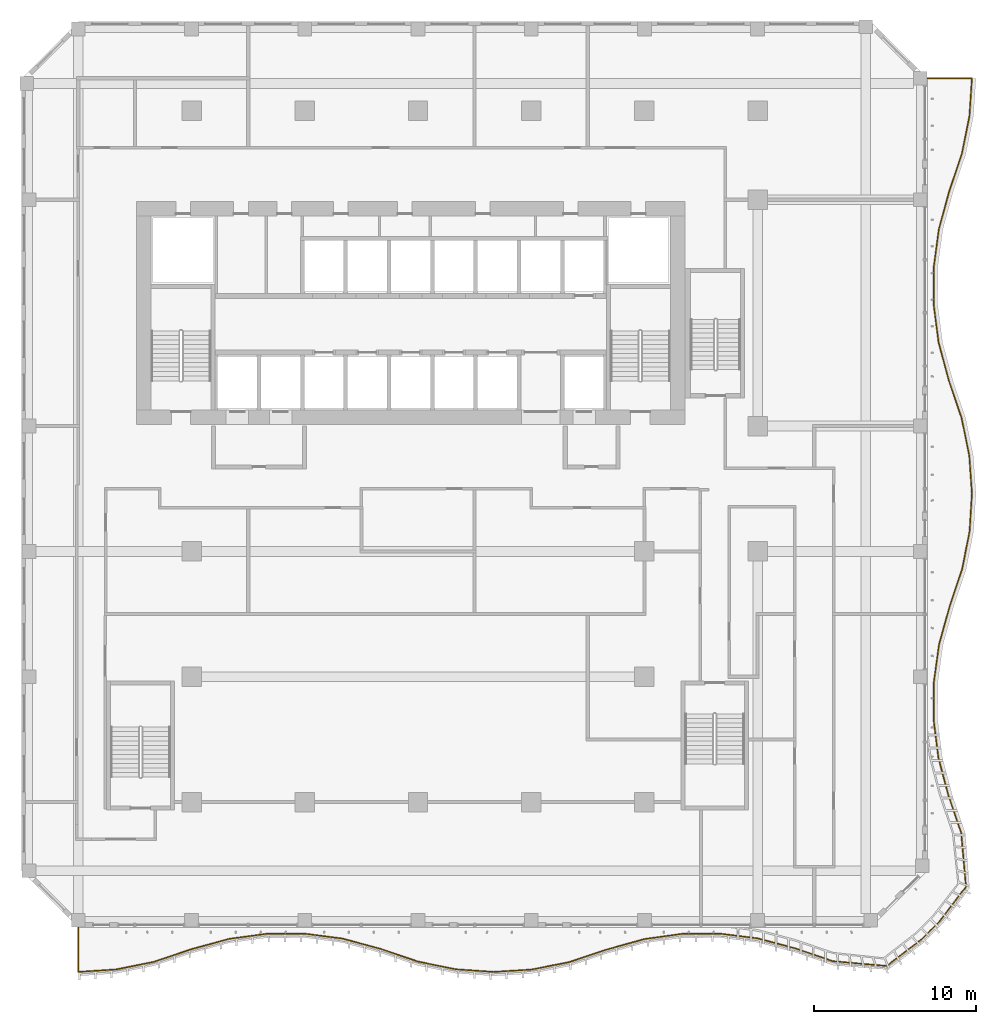
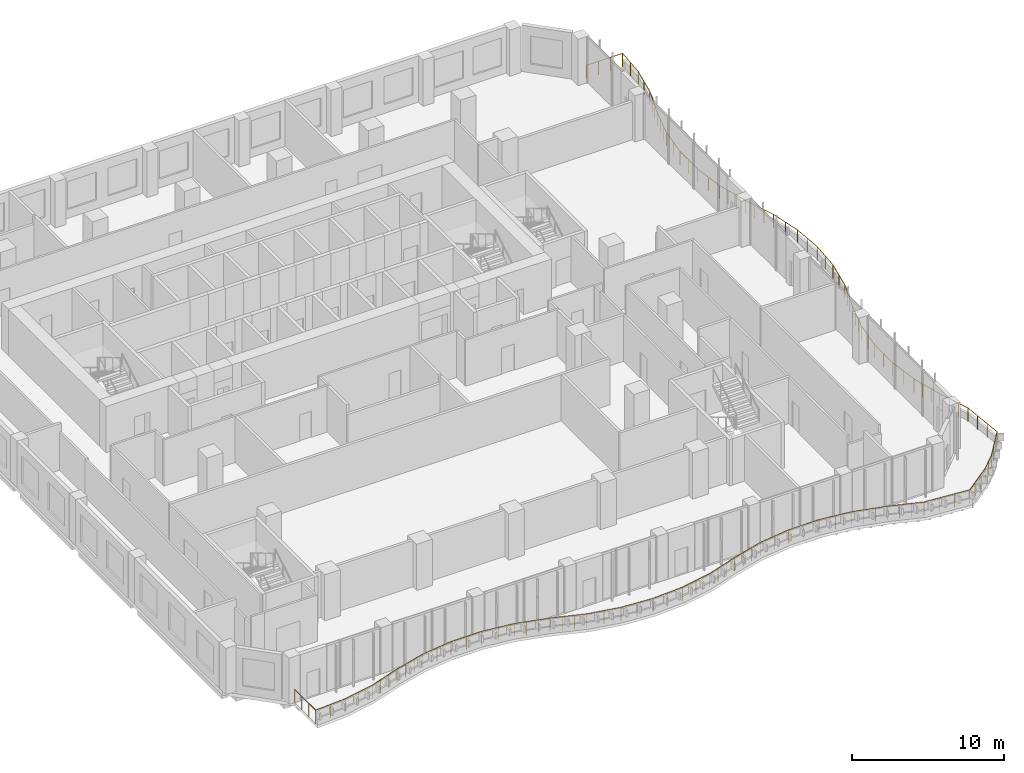
# One storey, part 22 of 27: 1 railing.
"""IFC4 building model written with IfcOpenShell, lengths in metres."""

from ifc_helpers import new_model, si_unit, direction, frame, origin, origin_2d, place, context, subcontext, project, spatial, circle, extrude, material, type_object, element, save


model = new_model("IFC4")

# Units and contexts
model_context = context("Model", 3, precision=1e-05, world=origin(), true_north=direction((0.0, 1.0)))
body_context = subcontext(model_context, "Body", "Model", "MODEL_VIEW")
ifc_project = project(units=[si_unit("LENGTHUNIT", "METRE"), si_unit("AREAUNIT", "SQUARE_METRE"), si_unit("VOLUMEUNIT", "CUBIC_METRE"), si_unit("PLANEANGLEUNIT", "RADIAN"), si_unit("MASSUNIT", "GRAM", prefix="KILO")], contexts=[model_context])

# Site, building, storey
site_placement = place(None, origin())
site = spatial("IfcSite", under=ifc_project, at=site_placement, CompositionType="ELEMENT")
building_placement = place(site_placement, origin())
building = spatial("IfcBuilding", under=site, at=building_placement, Name="Kilnfold Tower and Market Hall", CompositionType="ELEMENT")
storey_placement = place(building_placement, frame((0.0, 0.0, 112.60009765625)))
storey = spatial("IfcBuildingStorey", under=building, at=storey_placement, Name="L26", CompositionType="ELEMENT", Elevation=112.60009765625)

# Railing
ifc_material = material(Name="Stainless steel and laminated glass", Category="steel")
railing_type = type_object("IfcRailingType", Name="GUARD 1100", PredefinedType="GUARDRAIL", material=ifc_material)
railing_placement = place(storey_placement, frame((-19.5, -23.0, 0.0)))
element("IfcRailing", 1, at=railing_placement, inside=storey, type_object=railing_type, Name="Guard balcony L26", PredefinedType="GUARDRAIL", context=body_context, shape_type="SweptSolid", body=[
    extrude(circle(Radius=0.02490234375, at=origin_2d()), frame((0.0, 0.0, 1.0751953125), z_axis=(0.0, -1.0, 0.0), x_axis=(1.0, 0.0, 0.0)), (0.0, 0.0, 1.0), 2.75),
    extrude(circle(Radius=0.02490234375, at=origin_2d()), frame((0.0, -2.75, 1.0751953125), z_axis=(0.997847999073, 0.065569587048, 0.0), x_axis=(-0.065569587048, 0.997847999073, 0.0)), (0.0, 0.0, 1.0), 2.33837890625),
    extrude(circle(Radius=0.02490234375, at=origin_2d()), frame((2.333251953125, -2.5966796875, 1.0751953125), z_axis=(0.980513543113, 0.196451499797, 0.0), x_axis=(-0.196451499797, 0.980513543113, 0.0)), (0.0, 0.0, 1.0), 2.3798828125),
    extrude(circle(Radius=0.02490234375, at=origin_2d()), frame((4.666748046875, -2.129150390625, 1.0751953125), z_axis=(0.947566979947, 0.319557222598, 0.0), x_axis=(-0.319557222598, 0.947566979947, 0.0)), (0.0, 0.0, 1.0), 2.46240234375),
    extrude(circle(Radius=0.02490234375, at=origin_2d()), frame((7.0, -1.34228515625, 1.0751953125), z_axis=(0.964518860934, 0.264013952098, 0.0), x_axis=(-0.264013952098, 0.964518860934, 0.0)), (0.0, 0.0, 1.0), 2.419189453125),
    extrude(circle(Radius=0.02490234375, at=origin_2d()), frame((9.333251953125, -0.70361328125, 1.0751953125), z_axis=(0.991110687467, 0.133039863153, 0.0), x_axis=(-0.133039863153, 0.991110687467, 0.0)), (0.0, 0.0, 1.0), 2.3544921875),
    extrude(circle(Radius=0.02490234375, at=origin_2d()), frame((11.666748046875, -0.390380859375, 1.0751953125), z_axis=(0.999998226339, 0.001883432884, 0.0), x_axis=(-0.001883432884, 0.999998226339, 0.0)), (0.0, 0.0, 1.0), 2.333251953125),
    extrude(circle(Radius=0.02490234375, at=origin_2d()), frame((14.0, -0.385986328125, 1.0751953125), z_axis=(0.991647789279, -0.128975431838, 0.0), x_axis=(0.128975431838, 0.991647789279, 0.0)), (0.0, 0.0, 1.0), 2.352783203125),
    extrude(circle(Radius=0.02490234375, at=origin_2d()), frame((16.333251953125, -0.689453125, 1.0751953125), z_axis=(0.965598198848, -0.260038686319, 0.0), x_axis=(0.260038686319, 0.965598198848, 0.0)), (0.0, 0.0, 1.0), 2.416748046875),
    extrude(circle(Radius=0.02490234375, at=origin_2d()), frame((18.666748046875, -1.31787109375, 1.0751953125), z_axis=(0.94693508606, -0.321424863365, 0.0), x_axis=(0.321424863365, 0.94693508606, 0.0)), (0.0, 0.0, 1.0), 2.464111328125),
    extrude(circle(Radius=0.02490234375, at=origin_2d()), frame((21.0, -2.10986328125, 1.0751953125), z_axis=(0.979691597801, -0.200510282024, 0.0), x_axis=(0.200510282024, 0.979691597801, 0.0)), (0.0, 0.0, 1.0), 2.381591796875),
    extrude(circle(Radius=0.02490234375, at=origin_2d()), frame((23.333251953125, -2.58740234375, 1.0751953125), z_axis=(0.99758116384, -0.069511305202, 0.0), x_axis=(0.069511305202, 0.99758116384, 0.0)), (0.0, 0.0, 1.0), 2.339111328125),
    extrude(circle(Radius=0.02490234375, at=origin_2d()), frame((25.666748046875, -2.75, 1.0751953125), z_axis=(0.998099833602, 0.061617547538, 0.0), x_axis=(-0.061617547538, 0.998099833602, 0.0)), (0.0, 0.0, 1.0), 2.337646484375),
    extrude(circle(Radius=0.02490234375, at=origin_2d()), frame((28.0, -2.60595703125, 1.0751953125), z_axis=(0.981292835756, 0.192521091037, 0.0), x_axis=(-0.192521091037, 0.981292835756, 0.0)), (0.0, 0.0, 1.0), 2.377685546875),
    extrude(circle(Radius=0.02490234375, at=origin_2d()), frame((30.333251953125, -2.148193359375, 1.0751953125), z_axis=(0.9482956499, 0.317388343171, 0.0), x_axis=(-0.317388343171, 0.9482956499, 0.0)), (0.0, 0.0, 1.0), 2.460693359375),
    extrude(circle(Radius=0.02490234375, at=origin_2d()), frame((32.666748046875, -1.3671875, 1.0751953125), z_axis=(0.963406621709, 0.268044177789, 0.0), x_axis=(-0.268044177789, 0.963406621709, 0.0)), (0.0, 0.0, 1.0), 2.421875),
    extrude(circle(Radius=0.02490234375, at=origin_2d()), frame((35.0, -0.718017578125, 1.0751953125), z_axis=(0.990581902319, 0.136921491364, 0.0), x_axis=(-0.136921491364, 0.990581902319, 0.0)), (0.0, 0.0, 1.0), 2.35546875),
    extrude(circle(Radius=0.02490234375, at=origin_2d()), frame((37.333251953125, -0.3955078125, 1.0751953125), z_axis=(0.999982218267, 0.005963484666, 0.0), x_axis=(-0.005963484666, 0.999982218267, 0.0)), (0.0, 0.0, 1.0), 2.33349609375),
    extrude(circle(Radius=0.02490234375, at=origin_2d()), frame((39.666748046875, -0.381591796875, 1.0751953125), z_axis=(0.992157627723, -0.124992966807, 0.0), x_axis=(0.124992966807, 0.992157627723, 0.0)), (0.0, 0.0, 1.0), 2.351806640625),
    extrude(circle(Radius=0.02490234375, at=origin_2d()), frame((42.0, -0.675537109375, 1.0751953125), z_axis=(0.966650012662, -0.256101060172, 0.0), x_axis=(0.256101060172, 0.966650012662, 0.0)), (0.0, 0.0, 1.0), 2.413818359375),
    extrude(circle(Radius=0.02490234375, at=origin_2d()), frame((44.333251953125, -1.293701171875, 1.0751953125), z_axis=(0.946401541537, -0.3229924491, 0.0), x_axis=(0.3229924491, 0.946401541537, 0.0)), (0.0, 0.0, 1.0), 2.465576171875),
    extrude(circle(Radius=0.02490234375, at=origin_2d()), frame((46.666748046875, -2.090087890625, 1.0751953125), z_axis=(0.996172933534, -0.087404156042, 0.0), x_axis=(0.087404156042, 0.996172933534, 0.0)), (0.0, 0.0, 1.0), 3.332275390625),
    extrude(circle(Radius=0.02490234375, at=origin_2d()), frame((49.986328125, -2.38134765625, 1.0751953125), z_axis=(0.793922461341, 0.608019017283, 0.0), x_axis=(-0.608019017283, 0.793922461341, 0.0)), (0.0, 0.0, 1.0), 2.659423828125),
    extrude(circle(Radius=0.02490234375, at=origin_2d()), frame((52.09765625, -0.764404296875, 1.0751953125), z_axis=(0.707106781187, 0.707106781187, 0.0), x_axis=(-0.707106781187, 0.707106781187, 0.0)), (0.0, 0.0, 1.0), 1.650146484375),
    extrude(circle(Radius=0.02490234375, at=origin_2d()), frame((53.264404296875, 0.40234375, 1.0751953125), z_axis=(0.608019017283, 0.793922461341, 0.0), x_axis=(-0.793922461341, 0.608019017283, 0.0)), (0.0, 0.0, 1.0), 2.659423828125),
    extrude(circle(Radius=0.02490234375, at=origin_2d()), frame((54.88134765625, 2.513671875, 1.0751953125), z_axis=(-0.087404156042, 0.996172933534, 0.0), x_axis=(-0.996172933534, -0.087404156042, 0.0)), (0.0, 0.0, 1.0), 3.332275390625),
    extrude(circle(Radius=0.02490234375, at=origin_2d()), frame((54.590087890625, 5.833251953125, 1.0751953125), z_axis=(-0.3229924491, 0.946401541537, 0.0), x_axis=(-0.946401541537, -0.3229924491, 0.0)), (0.0, 0.0, 1.0), 2.465576171875),
    extrude(circle(Radius=0.02490234375, at=origin_2d()), frame((53.793701171875, 8.166748046875, 1.0751953125), z_axis=(-0.256101060172, 0.966650012662, 0.0), x_axis=(-0.966650012662, -0.256101060172, 0.0)), (0.0, 0.0, 1.0), 2.413818359375),
    extrude(circle(Radius=0.02490234375, at=origin_2d()), frame((53.175537109375, 10.5, 1.0751953125), z_axis=(-0.124992966807, 0.992157627723, 0.0), x_axis=(-0.992157627723, -0.124992966807, 0.0)), (0.0, 0.0, 1.0), 2.351806640625),
    extrude(circle(Radius=0.02490234375, at=origin_2d()), frame((52.881591796875, 12.833251953125, 1.0751953125), z_axis=(0.005963484666, 0.999982218267, 0.0), x_axis=(-0.999982218267, 0.005963484666, 0.0)), (0.0, 0.0, 1.0), 2.33349609375),
    extrude(circle(Radius=0.02490234375, at=origin_2d()), frame((52.8955078125, 15.166748046875, 1.0751953125), z_axis=(0.136921491364, 0.990581902319, 0.0), x_axis=(-0.990581902319, 0.136921491364, 0.0)), (0.0, 0.0, 1.0), 2.35546875),
    extrude(circle(Radius=0.02490234375, at=origin_2d()), frame((53.218017578125, 17.5, 1.0751953125), z_axis=(0.268044177789, 0.963406621709, 0.0), x_axis=(-0.963406621709, 0.268044177789, 0.0)), (0.0, 0.0, 1.0), 2.421875),
    extrude(circle(Radius=0.02490234375, at=origin_2d()), frame((53.8671875, 19.833251953125, 1.0751953125), z_axis=(0.317388343171, 0.9482956499, 0.0), x_axis=(-0.9482956499, 0.317388343171, 0.0)), (0.0, 0.0, 1.0), 2.460693359375),
    extrude(circle(Radius=0.02490234375, at=origin_2d()), frame((54.648193359375, 22.166748046875, 1.0751953125), z_axis=(0.192521091037, 0.981292835756, 0.0), x_axis=(-0.981292835756, 0.192521091037, 0.0)), (0.0, 0.0, 1.0), 2.377685546875),
    extrude(circle(Radius=0.02490234375, at=origin_2d()), frame((55.10595703125, 24.5, 1.0751953125), z_axis=(0.061617547538, 0.998099833602, 0.0), x_axis=(-0.998099833602, 0.061617547538, 0.0)), (0.0, 0.0, 1.0), 2.337646484375),
    extrude(circle(Radius=0.02490234375, at=origin_2d()), frame((55.25, 26.833251953125, 1.0751953125), z_axis=(-0.069511305202, 0.99758116384, 0.0), x_axis=(-0.99758116384, -0.069511305202, 0.0)), (0.0, 0.0, 1.0), 2.339111328125),
    extrude(circle(Radius=0.02490234375, at=origin_2d()), frame((55.08740234375, 29.166748046875, 1.0751953125), z_axis=(-0.200510282024, 0.979691597801, 0.0), x_axis=(-0.979691597801, -0.200510282024, 0.0)), (0.0, 0.0, 1.0), 2.381591796875),
    extrude(circle(Radius=0.02490234375, at=origin_2d()), frame((54.60986328125, 31.5, 1.0751953125), z_axis=(-0.321424863365, 0.94693508606, 0.0), x_axis=(-0.94693508606, -0.321424863365, 0.0)), (0.0, 0.0, 1.0), 2.464111328125),
    extrude(circle(Radius=0.02490234375, at=origin_2d()), frame((53.81787109375, 33.833251953125, 1.0751953125), z_axis=(-0.260038686319, 0.965598198848, 0.0), x_axis=(-0.965598198848, -0.260038686319, 0.0)), (0.0, 0.0, 1.0), 2.416748046875),
    extrude(circle(Radius=0.02490234375, at=origin_2d()), frame((53.189453125, 36.166748046875, 1.0751953125), z_axis=(-0.128975431838, 0.991647789279, 0.0), x_axis=(-0.991647789279, -0.128975431838, 0.0)), (0.0, 0.0, 1.0), 2.352783203125),
    extrude(circle(Radius=0.02490234375, at=origin_2d()), frame((52.885986328125, 38.5, 1.0751953125), z_axis=(0.001883432884, 0.999998226339, 0.0), x_axis=(-0.999998226339, 0.001883432884, 0.0)), (0.0, 0.0, 1.0), 2.333251953125),
    extrude(circle(Radius=0.02490234375, at=origin_2d()), frame((52.890380859375, 40.833251953125, 1.0751953125), z_axis=(0.133039863153, 0.991110687467, 0.0), x_axis=(-0.991110687467, 0.133039863153, 0.0)), (0.0, 0.0, 1.0), 2.3544921875),
    extrude(circle(Radius=0.02490234375, at=origin_2d()), frame((53.20361328125, 43.166748046875, 1.0751953125), z_axis=(0.264013952098, 0.964518860934, 0.0), x_axis=(-0.964518860934, 0.264013952098, 0.0)), (0.0, 0.0, 1.0), 2.419189453125),
    extrude(circle(Radius=0.02490234375, at=origin_2d()), frame((53.84228515625, 45.5, 1.0751953125), z_axis=(0.319557222598, 0.947566979947, 0.0), x_axis=(-0.947566979947, 0.319557222598, 0.0)), (0.0, 0.0, 1.0), 2.46240234375),
    extrude(circle(Radius=0.02490234375, at=origin_2d()), frame((54.629150390625, 47.833251953125, 1.0751953125), z_axis=(0.196451499797, 0.980513543113, 0.0), x_axis=(-0.980513543113, 0.196451499797, 0.0)), (0.0, 0.0, 1.0), 2.3798828125),
    extrude(circle(Radius=0.02490234375, at=origin_2d()), frame((55.0966796875, 50.166748046875, 1.0751953125), z_axis=(0.065569587048, 0.997847999073, 0.0), x_axis=(-0.997847999073, 0.065569587048, 0.0)), (0.0, 0.0, 1.0), 2.33837890625),
    extrude(circle(Radius=0.02490234375, at=origin_2d()), frame((55.25, 52.5, 1.0751953125), z_axis=(-1.0, 0.0, 0.0), x_axis=(0.0, -1.0, 0.0)), (0.0, 0.0, 1.0), 2.75),
    extrude(circle(Radius=0.02490234375, at=origin_2d()), origin(), (0.0, 0.0, 1.0), 1.050048828125),
    extrude(circle(Radius=0.02490234375, at=origin_2d()), frame((0.0, -0.916748046875, 0.0)), (0.0, 0.0, 1.0), 1.050048828125),
    extrude(circle(Radius=0.02490234375, at=origin_2d()), frame((0.0, -1.833251953125, 0.0)), (0.0, 0.0, 1.0), 1.050048828125),
    extrude(circle(Radius=0.02490234375, at=origin_2d()), frame((0.0, -2.75, 0.0)), (0.0, 0.0, 1.0), 1.050048828125),
    extrude(circle(Radius=0.02490234375, at=origin_2d()), frame((1.16650390625, -2.67333984375, 0.0)), (0.0, 0.0, 1.0), 1.050048828125),
    extrude(circle(Radius=0.02490234375, at=origin_2d()), frame((2.333251953125, -2.5966796875, 0.0)), (0.0, 0.0, 1.0), 1.050048828125),
    extrude(circle(Radius=0.02490234375, at=origin_2d()), frame((3.5, -2.36279296875, 0.0)), (0.0, 0.0, 1.0), 1.050048828125),
    extrude(circle(Radius=0.02490234375, at=origin_2d()), frame((4.666748046875, -2.129150390625, 0.0)), (0.0, 0.0, 1.0), 1.050048828125),
    extrude(circle(Radius=0.02490234375, at=origin_2d()), frame((5.444580078125, -1.866943359375, 0.0)), (0.0, 0.0, 1.0), 1.050048828125),
    extrude(circle(Radius=0.02490234375, at=origin_2d()), frame((6.22216796875, -1.6044921875, 0.0)), (0.0, 0.0, 1.0), 1.050048828125),
    extrude(circle(Radius=0.02490234375, at=origin_2d()), frame((7.0, -1.34228515625, 0.0)), (0.0, 0.0, 1.0), 1.050048828125),
    extrude(circle(Radius=0.02490234375, at=origin_2d()), frame((7.77783203125, -1.12939453125, 0.0)), (0.0, 0.0, 1.0), 1.050048828125),
    extrude(circle(Radius=0.02490234375, at=origin_2d()), frame((8.555419921875, -0.91650390625, 0.0)), (0.0, 0.0, 1.0), 1.050048828125),
    extrude(circle(Radius=0.02490234375, at=origin_2d()), frame((9.333251953125, -0.70361328125, 0.0)), (0.0, 0.0, 1.0), 1.050048828125),
    extrude(circle(Radius=0.02490234375, at=origin_2d()), frame((10.5, -0.546875, 0.0)), (0.0, 0.0, 1.0), 1.050048828125),
    extrude(circle(Radius=0.02490234375, at=origin_2d()), frame((11.666748046875, -0.390380859375, 0.0)), (0.0, 0.0, 1.0), 1.050048828125),
    extrude(circle(Radius=0.02490234375, at=origin_2d()), frame((12.83349609375, -0.38818359375, 0.0)), (0.0, 0.0, 1.0), 1.050048828125),
    extrude(circle(Radius=0.02490234375, at=origin_2d()), frame((14.0, -0.385986328125, 0.0)), (0.0, 0.0, 1.0), 1.050048828125),
    extrude(circle(Radius=0.02490234375, at=origin_2d()), frame((15.16650390625, -0.53759765625, 0.0)), (0.0, 0.0, 1.0), 1.050048828125),
    extrude(circle(Radius=0.02490234375, at=origin_2d()), frame((16.333251953125, -0.689453125, 0.0)), (0.0, 0.0, 1.0), 1.050048828125),
    extrude(circle(Radius=0.02490234375, at=origin_2d()), frame((17.111083984375, -0.89892578125, 0.0)), (0.0, 0.0, 1.0), 1.050048828125),
    extrude(circle(Radius=0.02490234375, at=origin_2d()), frame((17.888916015625, -1.1083984375, 0.0)), (0.0, 0.0, 1.0), 1.050048828125),
    extrude(circle(Radius=0.02490234375, at=origin_2d()), frame((18.666748046875, -1.31787109375, 0.0)), (0.0, 0.0, 1.0), 1.050048828125),
    extrude(circle(Radius=0.02490234375, at=origin_2d()), frame((19.444580078125, -1.581787109375, 0.0)), (0.0, 0.0, 1.0), 1.050048828125),
    extrude(circle(Radius=0.02490234375, at=origin_2d()), frame((20.22216796875, -1.845947265625, 0.0)), (0.0, 0.0, 1.0), 1.050048828125),
    extrude(circle(Radius=0.02490234375, at=origin_2d()), frame((21.0, -2.10986328125, 0.0)), (0.0, 0.0, 1.0), 1.050048828125),
    extrude(circle(Radius=0.02490234375, at=origin_2d()), frame((22.16650390625, -2.3486328125, 0.0)), (0.0, 0.0, 1.0), 1.050048828125),
    extrude(circle(Radius=0.02490234375, at=origin_2d()), frame((23.333251953125, -2.58740234375, 0.0)), (0.0, 0.0, 1.0), 1.050048828125),
    extrude(circle(Radius=0.02490234375, at=origin_2d()), frame((24.5, -2.668701171875, 0.0)), (0.0, 0.0, 1.0), 1.050048828125),
    extrude(circle(Radius=0.02490234375, at=origin_2d()), frame((25.666748046875, -2.75, 0.0)), (0.0, 0.0, 1.0), 1.050048828125),
    extrude(circle(Radius=0.02490234375, at=origin_2d()), frame((26.83349609375, -2.677978515625, 0.0)), (0.0, 0.0, 1.0), 1.050048828125),
    extrude(circle(Radius=0.02490234375, at=origin_2d()), frame((28.0, -2.60595703125, 0.0)), (0.0, 0.0, 1.0), 1.050048828125),
    extrude(circle(Radius=0.02490234375, at=origin_2d()), frame((29.16650390625, -2.376953125, 0.0)), (0.0, 0.0, 1.0), 1.050048828125),
    extrude(circle(Radius=0.02490234375, at=origin_2d()), frame((30.333251953125, -2.148193359375, 0.0)), (0.0, 0.0, 1.0), 1.050048828125),
    extrude(circle(Radius=0.02490234375, at=origin_2d()), frame((31.111083984375, -1.887939453125, 0.0)), (0.0, 0.0, 1.0), 1.050048828125),
    extrude(circle(Radius=0.02490234375, at=origin_2d()), frame((31.888916015625, -1.62744140625, 0.0)), (0.0, 0.0, 1.0), 1.050048828125),
    extrude(circle(Radius=0.02490234375, at=origin_2d()), frame((32.666748046875, -1.3671875, 0.0)), (0.0, 0.0, 1.0), 1.050048828125),
    extrude(circle(Radius=0.02490234375, at=origin_2d()), frame((33.444580078125, -1.15087890625, 0.0)), (0.0, 0.0, 1.0), 1.050048828125),
    extrude(circle(Radius=0.02490234375, at=origin_2d()), frame((34.22216796875, -0.934326171875, 0.0)), (0.0, 0.0, 1.0), 1.050048828125),
    extrude(circle(Radius=0.02490234375, at=origin_2d()), frame((35.0, -0.718017578125, 0.0)), (0.0, 0.0, 1.0), 1.050048828125),
    extrude(circle(Radius=0.02490234375, at=origin_2d()), frame((36.16650390625, -0.556640625, 0.0)), (0.0, 0.0, 1.0), 1.050048828125),
    extrude(circle(Radius=0.02490234375, at=origin_2d()), frame((37.333251953125, -0.3955078125, 0.0)), (0.0, 0.0, 1.0), 1.050048828125),
    extrude(circle(Radius=0.02490234375, at=origin_2d()), frame((38.5, -0.388671875, 0.0)), (0.0, 0.0, 1.0), 1.050048828125),
    extrude(circle(Radius=0.02490234375, at=origin_2d()), frame((39.666748046875, -0.381591796875, 0.0)), (0.0, 0.0, 1.0), 1.050048828125),
    extrude(circle(Radius=0.02490234375, at=origin_2d()), frame((40.83349609375, -0.528564453125, 0.0)), (0.0, 0.0, 1.0), 1.050048828125),
    extrude(circle(Radius=0.02490234375, at=origin_2d()), frame((42.0, -0.675537109375, 0.0)), (0.0, 0.0, 1.0), 1.050048828125),
    extrude(circle(Radius=0.02490234375, at=origin_2d()), frame((42.77783203125, -0.881591796875, 0.0)), (0.0, 0.0, 1.0), 1.050048828125),
    extrude(circle(Radius=0.02490234375, at=origin_2d()), frame((43.555419921875, -1.087646484375, 0.0)), (0.0, 0.0, 1.0), 1.050048828125),
    extrude(circle(Radius=0.02490234375, at=origin_2d()), frame((44.333251953125, -1.293701171875, 0.0)), (0.0, 0.0, 1.0), 1.050048828125),
    extrude(circle(Radius=0.02490234375, at=origin_2d()), frame((45.111083984375, -1.55908203125, 0.0)), (0.0, 0.0, 1.0), 1.050048828125),
    extrude(circle(Radius=0.02490234375, at=origin_2d()), frame((45.888916015625, -1.82470703125, 0.0)), (0.0, 0.0, 1.0), 1.050048828125),
    extrude(circle(Radius=0.02490234375, at=origin_2d()), frame((46.666748046875, -2.090087890625, 0.0)), (0.0, 0.0, 1.0), 1.050048828125),
    extrude(circle(Radius=0.02490234375, at=origin_2d()), frame((47.773193359375, -2.187255859375, 0.0)), (0.0, 0.0, 1.0), 1.050048828125),
    extrude(circle(Radius=0.02490234375, at=origin_2d()), frame((48.8798828125, -2.2841796875, 0.0)), (0.0, 0.0, 1.0), 1.050048828125),
    extrude(circle(Radius=0.02490234375, at=origin_2d()), frame((49.986328125, -2.38134765625, 0.0)), (0.0, 0.0, 1.0), 1.050048828125),
    extrude(circle(Radius=0.02490234375, at=origin_2d()), frame((50.690185546875, -1.84228515625, 0.0)), (0.0, 0.0, 1.0), 1.050048828125),
    extrude(circle(Radius=0.02490234375, at=origin_2d()), frame((51.393798828125, -1.303466796875, 0.0)), (0.0, 0.0, 1.0), 1.050048828125),
    extrude(circle(Radius=0.02490234375, at=origin_2d()), frame((52.09765625, -0.764404296875, 0.0)), (0.0, 0.0, 1.0), 1.050048828125),
    extrude(circle(Radius=0.02490234375, at=origin_2d()), frame((52.68115234375, -0.18115234375, 0.0)), (0.0, 0.0, 1.0), 1.050048828125),
    extrude(circle(Radius=0.02490234375, at=origin_2d()), frame((53.264404296875, 0.40234375, 0.0)), (0.0, 0.0, 1.0), 1.050048828125),
    extrude(circle(Radius=0.02490234375, at=origin_2d()), frame((53.803466796875, 1.106201171875, 0.0)), (0.0, 0.0, 1.0), 1.050048828125),
    extrude(circle(Radius=0.02490234375, at=origin_2d()), frame((54.34228515625, 1.809814453125, 0.0)), (0.0, 0.0, 1.0), 1.050048828125),
    extrude(circle(Radius=0.02490234375, at=origin_2d()), frame((54.88134765625, 2.513671875, 0.0)), (0.0, 0.0, 1.0), 1.050048828125),
    extrude(circle(Radius=0.02490234375, at=origin_2d()), frame((54.7841796875, 3.6201171875, 0.0)), (0.0, 0.0, 1.0), 1.050048828125),
    extrude(circle(Radius=0.02490234375, at=origin_2d()), frame((54.687255859375, 4.726806640625, 0.0)), (0.0, 0.0, 1.0), 1.050048828125),
    extrude(circle(Radius=0.02490234375, at=origin_2d()), frame((54.590087890625, 5.833251953125, 0.0)), (0.0, 0.0, 1.0), 1.050048828125),
    extrude(circle(Radius=0.02490234375, at=origin_2d()), frame((54.32470703125, 6.611083984375, 0.0)), (0.0, 0.0, 1.0), 1.050048828125),
    extrude(circle(Radius=0.02490234375, at=origin_2d()), frame((54.05908203125, 7.388916015625, 0.0)), (0.0, 0.0, 1.0), 1.050048828125),
    extrude(circle(Radius=0.02490234375, at=origin_2d()), frame((53.793701171875, 8.166748046875, 0.0)), (0.0, 0.0, 1.0), 1.050048828125),
    extrude(circle(Radius=0.02490234375, at=origin_2d()), frame((53.587646484375, 8.944580078125, 0.0)), (0.0, 0.0, 1.0), 1.050048828125),
    extrude(circle(Radius=0.02490234375, at=origin_2d()), frame((53.381591796875, 9.72216796875, 0.0)), (0.0, 0.0, 1.0), 1.050048828125),
    extrude(circle(Radius=0.02490234375, at=origin_2d()), frame((53.175537109375, 10.5, 0.0)), (0.0, 0.0, 1.0), 1.050048828125),
    extrude(circle(Radius=0.02490234375, at=origin_2d()), frame((53.028564453125, 11.66650390625, 0.0)), (0.0, 0.0, 1.0), 1.050048828125),
    extrude(circle(Radius=0.02490234375, at=origin_2d()), frame((52.881591796875, 12.833251953125, 0.0)), (0.0, 0.0, 1.0), 1.050048828125),
    extrude(circle(Radius=0.02490234375, at=origin_2d()), frame((52.888671875, 14.0, 0.0)), (0.0, 0.0, 1.0), 1.050048828125),
    extrude(circle(Radius=0.02490234375, at=origin_2d()), frame((52.8955078125, 15.166748046875, 0.0)), (0.0, 0.0, 1.0), 1.050048828125),
    extrude(circle(Radius=0.02490234375, at=origin_2d()), frame((53.056640625, 16.33349609375, 0.0)), (0.0, 0.0, 1.0), 1.050048828125),
    extrude(circle(Radius=0.02490234375, at=origin_2d()), frame((53.218017578125, 17.5, 0.0)), (0.0, 0.0, 1.0), 1.050048828125),
    extrude(circle(Radius=0.02490234375, at=origin_2d()), frame((53.434326171875, 18.27783203125, 0.0)), (0.0, 0.0, 1.0), 1.050048828125),
    extrude(circle(Radius=0.02490234375, at=origin_2d()), frame((53.65087890625, 19.055419921875, 0.0)), (0.0, 0.0, 1.0), 1.050048828125),
    extrude(circle(Radius=0.02490234375, at=origin_2d()), frame((53.8671875, 19.833251953125, 0.0)), (0.0, 0.0, 1.0), 1.050048828125),
    extrude(circle(Radius=0.02490234375, at=origin_2d()), frame((54.12744140625, 20.611083984375, 0.0)), (0.0, 0.0, 1.0), 1.050048828125),
    extrude(circle(Radius=0.02490234375, at=origin_2d()), frame((54.387939453125, 21.388916015625, 0.0)), (0.0, 0.0, 1.0), 1.050048828125),
    extrude(circle(Radius=0.02490234375, at=origin_2d()), frame((54.648193359375, 22.166748046875, 0.0)), (0.0, 0.0, 1.0), 1.050048828125),
    extrude(circle(Radius=0.02490234375, at=origin_2d()), frame((54.876953125, 23.33349609375, 0.0)), (0.0, 0.0, 1.0), 1.050048828125),
    extrude(circle(Radius=0.02490234375, at=origin_2d()), frame((55.10595703125, 24.5, 0.0)), (0.0, 0.0, 1.0), 1.050048828125),
    extrude(circle(Radius=0.02490234375, at=origin_2d()), frame((55.177978515625, 25.66650390625, 0.0)), (0.0, 0.0, 1.0), 1.050048828125),
    extrude(circle(Radius=0.02490234375, at=origin_2d()), frame((55.25, 26.833251953125, 0.0)), (0.0, 0.0, 1.0), 1.050048828125),
    extrude(circle(Radius=0.02490234375, at=origin_2d()), frame((55.168701171875, 28.0, 0.0)), (0.0, 0.0, 1.0), 1.050048828125),
    extrude(circle(Radius=0.02490234375, at=origin_2d()), frame((55.08740234375, 29.166748046875, 0.0)), (0.0, 0.0, 1.0), 1.050048828125),
    extrude(circle(Radius=0.02490234375, at=origin_2d()), frame((54.8486328125, 30.33349609375, 0.0)), (0.0, 0.0, 1.0), 1.050048828125),
    extrude(circle(Radius=0.02490234375, at=origin_2d()), frame((54.60986328125, 31.5, 0.0)), (0.0, 0.0, 1.0), 1.050048828125),
    extrude(circle(Radius=0.02490234375, at=origin_2d()), frame((54.345947265625, 32.27783203125, 0.0)), (0.0, 0.0, 1.0), 1.050048828125),
    extrude(circle(Radius=0.02490234375, at=origin_2d()), frame((54.081787109375, 33.055419921875, 0.0)), (0.0, 0.0, 1.0), 1.050048828125),
    extrude(circle(Radius=0.02490234375, at=origin_2d()), frame((53.81787109375, 33.833251953125, 0.0)), (0.0, 0.0, 1.0), 1.050048828125),
    extrude(circle(Radius=0.02490234375, at=origin_2d()), frame((53.6083984375, 34.611083984375, 0.0)), (0.0, 0.0, 1.0), 1.050048828125),
    extrude(circle(Radius=0.02490234375, at=origin_2d()), frame((53.39892578125, 35.388916015625, 0.0)), (0.0, 0.0, 1.0), 1.050048828125),
    extrude(circle(Radius=0.02490234375, at=origin_2d()), frame((53.189453125, 36.166748046875, 0.0)), (0.0, 0.0, 1.0), 1.050048828125),
    extrude(circle(Radius=0.02490234375, at=origin_2d()), frame((53.03759765625, 37.33349609375, 0.0)), (0.0, 0.0, 1.0), 1.050048828125),
    extrude(circle(Radius=0.02490234375, at=origin_2d()), frame((52.885986328125, 38.5, 0.0)), (0.0, 0.0, 1.0), 1.050048828125),
    extrude(circle(Radius=0.02490234375, at=origin_2d()), frame((52.88818359375, 39.66650390625, 0.0)), (0.0, 0.0, 1.0), 1.050048828125),
    extrude(circle(Radius=0.02490234375, at=origin_2d()), frame((52.890380859375, 40.833251953125, 0.0)), (0.0, 0.0, 1.0), 1.050048828125),
    extrude(circle(Radius=0.02490234375, at=origin_2d()), frame((53.046875, 42.0, 0.0)), (0.0, 0.0, 1.0), 1.050048828125),
    extrude(circle(Radius=0.02490234375, at=origin_2d()), frame((53.20361328125, 43.166748046875, 0.0)), (0.0, 0.0, 1.0), 1.050048828125),
    extrude(circle(Radius=0.02490234375, at=origin_2d()), frame((53.41650390625, 43.944580078125, 0.0)), (0.0, 0.0, 1.0), 1.050048828125),
    extrude(circle(Radius=0.02490234375, at=origin_2d()), frame((53.62939453125, 44.72216796875, 0.0)), (0.0, 0.0, 1.0), 1.050048828125),
    extrude(circle(Radius=0.02490234375, at=origin_2d()), frame((53.84228515625, 45.5, 0.0)), (0.0, 0.0, 1.0), 1.050048828125),
    extrude(circle(Radius=0.02490234375, at=origin_2d()), frame((54.1044921875, 46.27783203125, 0.0)), (0.0, 0.0, 1.0), 1.050048828125),
    extrude(circle(Radius=0.02490234375, at=origin_2d()), frame((54.366943359375, 47.055419921875, 0.0)), (0.0, 0.0, 1.0), 1.050048828125),
    extrude(circle(Radius=0.02490234375, at=origin_2d()), frame((54.629150390625, 47.833251953125, 0.0)), (0.0, 0.0, 1.0), 1.050048828125),
    extrude(circle(Radius=0.02490234375, at=origin_2d()), frame((54.86279296875, 49.0, 0.0)), (0.0, 0.0, 1.0), 1.050048828125),
    extrude(circle(Radius=0.02490234375, at=origin_2d()), frame((55.0966796875, 50.166748046875, 0.0)), (0.0, 0.0, 1.0), 1.050048828125),
    extrude(circle(Radius=0.02490234375, at=origin_2d()), frame((55.17333984375, 51.33349609375, 0.0)), (0.0, 0.0, 1.0), 1.050048828125),
    extrude(circle(Radius=0.02490234375, at=origin_2d()), frame((55.25, 52.5, 0.0)), (0.0, 0.0, 1.0), 1.050048828125),
    extrude(circle(Radius=0.02490234375, at=origin_2d()), frame((54.333251953125, 52.5, 0.0)), (0.0, 0.0, 1.0), 1.050048828125),
    extrude(circle(Radius=0.02490234375, at=origin_2d()), frame((53.416748046875, 52.5, 0.0)), (0.0, 0.0, 1.0), 1.050048828125),
    extrude(circle(Radius=0.02490234375, at=origin_2d()), frame((52.5, 52.5, 0.0)), (0.0, 0.0, 1.0), 1.050048828125),
])

save(model, "model.ifc")
